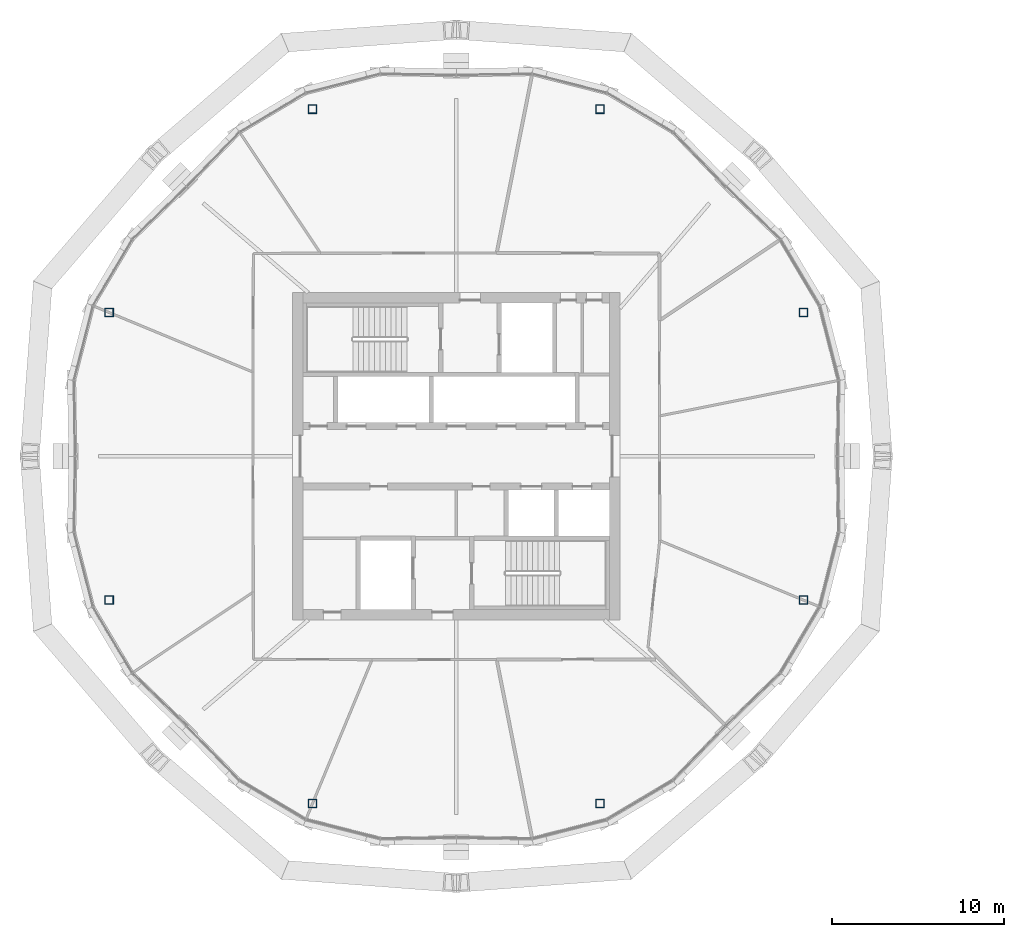
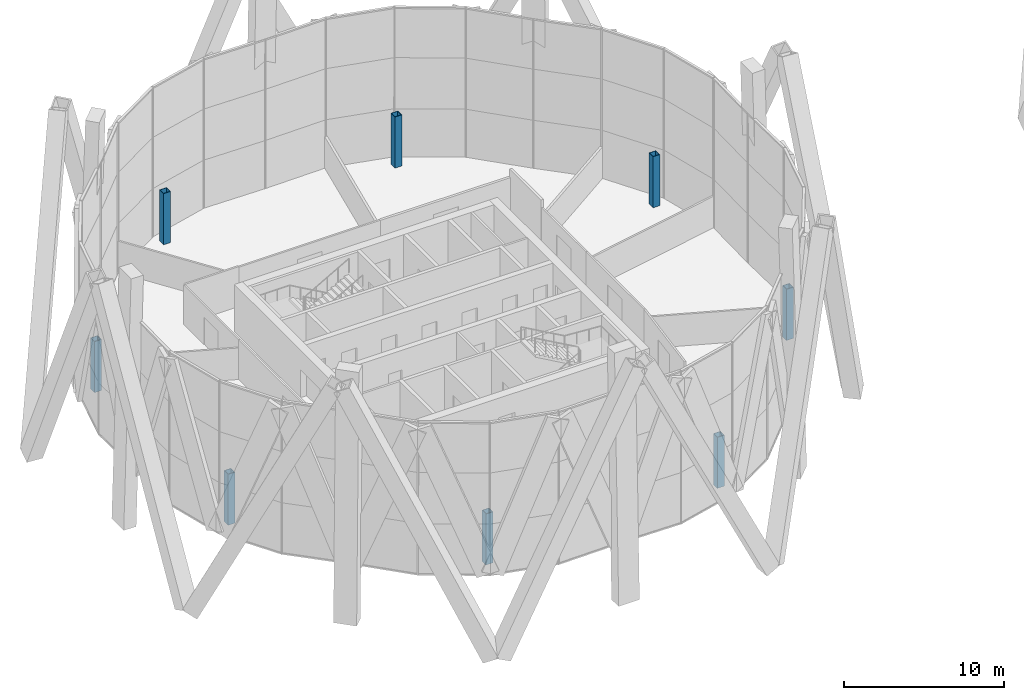
# One storey, part 1 of 23: 8 columns.
"""IFC4 building model written with IfcOpenShell, lengths in metres."""

from ifc_helpers import new_model, si_unit, direction, frame, origin, origin_2d, place, context, subcontext, project, spatial, hollow_rectangle, extrude, material, material_profile, profile_set, type_object, element, save


model = new_model("IFC4")

# Units and contexts
model_context = context("Model", 3, precision=1e-05, world=origin(), true_north=direction((0.0, 1.0)))
body_context = subcontext(model_context, "Body", "Model", "MODEL_VIEW")
ifc_project = project(units=[si_unit("LENGTHUNIT", "METRE"), si_unit("AREAUNIT", "SQUARE_METRE"), si_unit("VOLUMEUNIT", "CUBIC_METRE"), si_unit("PLANEANGLEUNIT", "RADIAN"), si_unit("MASSUNIT", "GRAM", prefix="KILO")], contexts=[model_context])

# Site, building, storey
site_placement = place(None, origin())
site = spatial("IfcSite", under=ifc_project, at=site_placement, CompositionType="ELEMENT")
building_placement = place(site_placement, origin())
building = spatial("IfcBuilding", under=site, at=building_placement, Name="Ogive Gate Towers", CompositionType="ELEMENT")
storey_placement = place(building_placement, frame((0.0, 0.0, 165.60009765625)))
storey = spatial("IfcBuildingStorey", under=building, at=storey_placement, Name="L39", CompositionType="ELEMENT", Elevation=165.60009765625)

# Columns
ifc_material = material(Name="Steel SM460", Category="steel")
ifc_material_profile = material_profile(ifc_material, hollow_rectangle(XDim=0.5, YDim=0.5, WallThickness=0.030029296875, at=origin_2d()), Name="BX 500x500x30")
ifc_profile_set = profile_set([ifc_material_profile], Name="Steel SM460")
column_type = type_object("IfcColumnType", Name="Perimeter post BX 500x500x30", PredefinedType="COLUMN", material=ifc_profile_set)
for number, where, z_axis, x_axis, name in (
    (1, (-15.85009765625, 8.346435546875, 0.0), (0.0, 0.0, 1.0), (1.0, 0.0, 0.0), "T1/L39/SCL001"),
    (2, (-27.653564453125, 20.14990234375, 0.0), (0.0, 0.0, 1.0), (1.0, 0.0, 0.0), "T1/L39/SCL002"),
    (3, (-44.346435546875, 20.14990234375, 0.0), (0.0, 0.0, 1.0), (1.0, 0.0, 0.0), "T1/L39/SCL003"),
    (4, (-56.14990234375, 8.346435546875, 0.0), (0.0, 0.0, 1.0), (1.0, 0.0, 0.0), "T1/L39/SCL004"),
    (5, (-56.14990234375, -8.346435546875, 0.0), (0.0, 0.0, 1.0), (1.0, 0.0, 0.0), "T1/L39/SCL005"),
    (6, (-44.346435546875, -20.14990234375, 0.0), (0.0, 0.0, 1.0), (1.0, 0.0, 0.0), "T1/L39/SCL006"),
    (7, (-27.653564453125, -20.14990234375, 0.0), (0.0, 0.0, 1.0), (1.0, 0.0, 0.0), "T1/L39/SCL007"),
    (8, (-15.85009765625, -8.346435546875, 0.0), (0.0, 0.0, 1.0), (1.0, 0.0, 0.0), "T1/L39/SCL008"),
):
    element("IfcColumn", number, at=place(storey_placement, frame(where, z_axis=z_axis, x_axis=x_axis)), inside=storey, type_object=column_type, Name=name, PredefinedType="COLUMN", context=body_context, shape_type="SweptSolid", body=[
        extrude(hollow_rectangle(XDim=0.5, YDim=0.5, WallThickness=0.030029296875, at=origin_2d()), origin(), (0.0, 0.0, 1.0), 3.89990234375),
    ])

save(model, "model.ifc")
